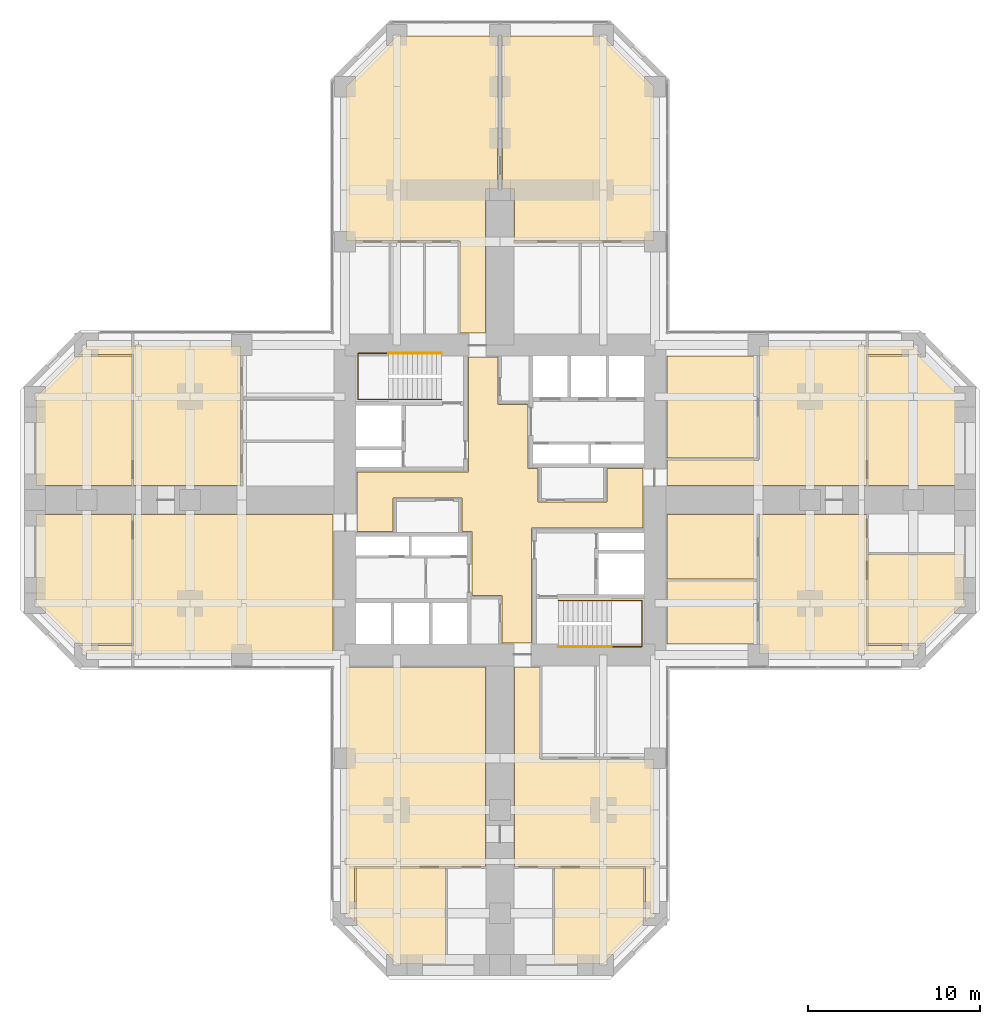
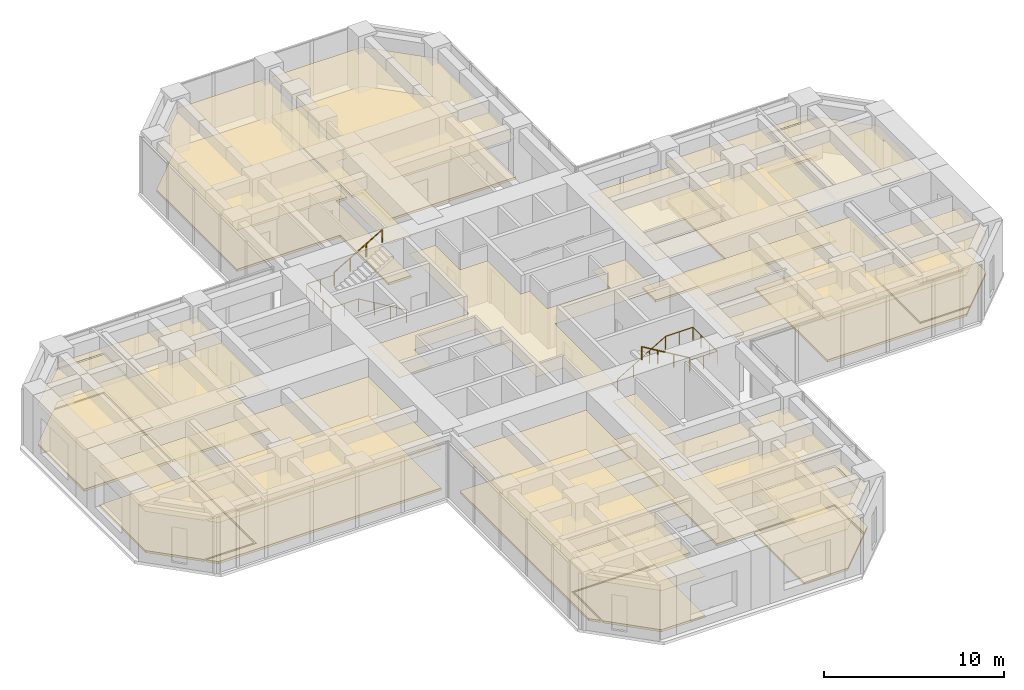
# One storey, part 13 of 13: 31 coverings, 4 railings.
"""IFC4 building model written with IfcOpenShell, lengths in metres."""

import ifcopenshell
import ifcopenshell.guid

model = None  # the IFC model being written
_history = None  # IfcOwnerHistory: only IFC2X3 demands one
_inside = {}  # id of a spatial element -> (the spatial element, [elements in it])
_under = {}  # id of a project, library or spatial element -> (it, [spatial elements below it])
_declared = {}  # id of a project -> (the project, [libraries it declares])
_typed = {}  # id of a type object -> (the type object, [elements of that type])
_made_of = {}  # id of a material, layer set ... -> (it, [elements and type objects made of it])


def new_model(schema):
    """Start an empty IFC model of exactly this schema.

    Asked for "IFC4X3", IfcOpenShell would pick the latest addendum, in which some entities
    have other attributes; the version numbers below select the first issue.
    IFC2X3 requires an IfcOwnerHistory on every rooted entity: one is made here for all.
    """
    global model, _history
    if schema == "IFC4X3":
        model = ifcopenshell.file(schema_version=(4, 3, 0, 0))
    else:
        model = ifcopenshell.file(schema=schema)
    _inside.clear()
    _under.clear()
    _declared.clear()
    _typed.clear()
    _made_of.clear()
    _history = None
    if model.schema == "IFC2X3":
        org = make("IfcOrganization", Name="unknown")
        user = make(
            "IfcPersonAndOrganization",
            ThePerson=make("IfcPerson", FamilyName="unknown"),
            TheOrganization=org,
        )
        app = make(
            "IfcApplication",
            ApplicationDeveloper=org,
            Version="unknown",
            ApplicationFullName="unknown",
            ApplicationIdentifier="unknown",
        )
        _history = make(
            "IfcOwnerHistory",
            OwningUser=user,
            OwningApplication=app,
            ChangeAction="ADDED",
            CreationDate=0,
        )
    return model


def make(cls, **values):
    """One entity of the class cls with the attributes given. An attribute that is None is left unset."""
    return model.create_entity(
        cls, **{name: value for name, value in values.items() if value is not None}
    )


def rooted(cls, **values):
    """An entity with a GlobalId (a new one), such as an element, a storey or a relation."""
    return make(cls, GlobalId=ifcopenshell.guid.new(), OwnerHistory=_history, **values)


def si_unit(unit_type, name, prefix=None):
    """IfcSIUnit, for example si_unit("LENGTHUNIT", "METRE", prefix="MILLI")."""
    return make("IfcSIUnit", UnitType=unit_type, Prefix=prefix, Name=name)


def assignment(units):
    """IfcUnitAssignment: the units of a project."""
    return None if units is None else make("IfcUnitAssignment", Units=units)


def point(xyz):
    """IfcCartesianPoint."""
    return None if xyz is None else make("IfcCartesianPoint", Coordinates=xyz)


def direction(xyz):
    """IfcDirection."""
    return None if xyz is None else make("IfcDirection", DirectionRatios=xyz)


def frame(location, z_axis=None, x_axis=None):
    """IfcAxis2Placement3D, a coordinate frame: its origin and axes. An axis left out is left unset."""
    return make(
        "IfcAxis2Placement3D",
        Location=point(location),
        Axis=direction(z_axis),
        RefDirection=direction(x_axis),
    )


def frame_2d(location, x_axis=None):
    """IfcAxis2Placement2D, a coordinate frame in the plane: its origin and x axis."""
    return make(
        "IfcAxis2Placement2D", Location=point(location), RefDirection=direction(x_axis)
    )


def origin():
    """The frame at (0, 0, 0) with its axes left unset."""
    return frame((0.0, 0.0, 0.0))


def origin_2d():
    """The frame at (0, 0) in the plane with its x axis left unset."""
    return frame_2d((0.0, 0.0))


def place(relative_to, where):
    """IfcLocalPlacement: puts the frame where relative to a parent placement (None: the world)."""
    return make(
        "IfcLocalPlacement", PlacementRelTo=relative_to, RelativePlacement=where
    )


def context(
    kind, dimensions, precision=None, world=None, true_north=None, identifier=None
):
    """IfcGeometricRepresentationContext, for example the 3D "Model" context."""
    return make(
        "IfcGeometricRepresentationContext",
        ContextIdentifier=identifier,
        ContextType=kind,
        CoordinateSpaceDimension=dimensions,
        Precision=precision,
        WorldCoordinateSystem=world,
        TrueNorth=true_north,
    )


def subcontext(parent, identifier, kind, view, scale=None):
    """IfcGeometricRepresentationSubContext, for example "Body" below "Model"."""
    return make(
        "IfcGeometricRepresentationSubContext",
        ContextIdentifier=identifier,
        ContextType=kind,
        ParentContext=parent,
        TargetScale=scale,
        TargetView=view,
    )


def project(units=None, contexts=None):
    """IfcProject with its units and contexts."""
    return rooted(
        "IfcProject",
        Name="project",
        RepresentationContexts=contexts,
        UnitsInContext=assignment(units),
    )


def spatial(cls, under=None, at=None, **own):
    """A site, building, storey or space (cls), placed at a placement, below another one or the project."""
    s = rooted(cls, ObjectPlacement=at, **own)
    if under is not None:
        _under.setdefault(under.id(), (under, []))[1].append(s)
    return s


def polyline(points):
    """IfcPolyline through the points."""
    return make("IfcPolyline", Points=[point(p) for p in points])


def profile(cls, at=None, kind="AREA", **sizes):
    """A parametric profile (cls). Its sizes go by their IFC names, for example OverallWidth=200.0."""
    return make(cls, ProfileType=kind, Position=at, **sizes)


def circle(**sizes):
    """IfcCircleProfileDef."""
    return profile("IfcCircleProfileDef", **sizes)


def outline(outer, holes=None, kind="AREA"):
    """IfcArbitraryClosedProfileDef: a profile drawn as a closed curve; with holes, ...WithVoids."""
    if holes is None:
        return make("IfcArbitraryClosedProfileDef", ProfileType=kind, OuterCurve=outer)
    return make(
        "IfcArbitraryProfileDefWithVoids",
        ProfileType=kind,
        OuterCurve=outer,
        InnerCurves=holes,
    )


def extrude(swept, where, along, depth):
    """IfcExtrudedAreaSolid: the profile swept, set in the frame where, extruded along a direction by depth."""
    return make(
        "IfcExtrudedAreaSolid",
        SweptArea=swept,
        Position=where,
        ExtrudedDirection=direction(along),
        Depth=depth,
    )


def shape(context_of_items, identifier, shape_type, items):
    """IfcShapeRepresentation: the items that make up one representation, for example the "Body"."""
    return make(
        "IfcShapeRepresentation",
        ContextOfItems=context_of_items,
        RepresentationIdentifier=identifier,
        RepresentationType=shape_type,
        Items=items,
    )


def material(Name=None, Category=None):
    """IfcMaterial."""
    return make("IfcMaterial", Name=Name, Category=Category)


def layer(
    of_material, thickness, ventilated=None, Name=None, Category=None, Priority=None
):
    """IfcMaterialLayer: one layer of a wall or slab, of a material (None: an air gap)."""
    return make(
        "IfcMaterialLayer",
        Material=of_material,
        LayerThickness=thickness,
        IsVentilated=ventilated,
        Name=Name,
        Category=Category,
        Priority=Priority,
    )


def layer_set(layers, Name=None):
    """IfcMaterialLayerSet."""
    return make("IfcMaterialLayerSet", MaterialLayers=layers, LayerSetName=Name)


def constituent(of_material, Name=None, Category=None, fraction=None):
    """IfcMaterialConstituent: one of the materials an element consists of."""
    return make(
        "IfcMaterialConstituent",
        Name=Name,
        Material=of_material,
        Fraction=fraction,
        Category=Category,
    )


def constituent_set(constituents=None, Name=None):
    """IfcMaterialConstituentSet."""
    return make(
        "IfcMaterialConstituentSet", Name=Name, MaterialConstituents=constituents
    )


def made_of(thing, what):
    """Note that an element or type object is made of a material, layer set ...; save() writes the relation."""
    if what is not None:
        _made_of.setdefault(what.id(), (what, []))[1].append(thing)
    return thing


def type_object(cls, material=None, **own):
    """A type object (cls), such as IfcWallType, which elements share."""
    return made_of(rooted(cls, **own), material)


def element(
    cls,
    number,
    at=None,
    inside=None,
    cuts=None,
    type_object=None,
    material=None,
    context=None,
    identifier="Body",
    shape_type=None,
    held_by="IfcProductDefinitionShape",
    body=None,
    shapes=None,
    **own,
):
    """One element of the class cls, such as IfcWall. Its Tag is "e" and its number.

    at: its placement. inside: the storey or other place that contains it. cuts: it is an
    opening in that element (IfcRelVoidsElement). A single representation is given by context,
    identifier, shape_type and body (its items); several are given by shapes. held_by: the class
    of the entity that holds the representations. save() writes the other relations.
    """
    e = rooted(cls, Tag="e%d" % number, ObjectPlacement=at, **own)
    if body is not None:
        shapes = [shape(context, identifier, shape_type, body)]
    if shapes is not None:
        e.Representation = make(held_by, Representations=shapes)
    if inside is not None:
        _inside.setdefault(inside.id(), (inside, []))[1].append(e)
    if cuts is not None:
        rooted(
            "IfcRelVoidsElement", RelatingBuildingElement=cuts, RelatedOpeningElement=e
        )
    if type_object is not None:
        _typed.setdefault(type_object.id(), (type_object, []))[1].append(e)
    return made_of(e, material)


def aggregate(whole, parts):
    """IfcRelAggregates: a whole, such as a stair, and the parts it consists of."""
    return rooted("IfcRelAggregates", RelatingObject=whole, RelatedObjects=parts)


def save(model, path):
    """Write the relations noted so far, then the file.

    IfcRelAggregates (storeys below a building ...), IfcRelContainedInSpatialStructure (elements
    in a storey), IfcRelDefinesByType, IfcRelAssociatesMaterial and IfcRelDeclares: one each for
    every whole, place, type object, material and project.
    """
    for whole, parts in _under.values():
        aggregate(whole, parts)
    for where, things in _inside.values():
        rooted(
            "IfcRelContainedInSpatialStructure",
            RelatedElements=things,
            RelatingStructure=where,
        )
    for kind, things in _typed.values():
        rooted("IfcRelDefinesByType", RelatedObjects=things, RelatingType=kind)
    for what, things in _made_of.values():
        rooted("IfcRelAssociatesMaterial", RelatedObjects=things, RelatingMaterial=what)
    for by, libraries in _declared.values():
        rooted("IfcRelDeclares", RelatingContext=by, RelatedDefinitions=libraries)
    model.write(path)


model = new_model("IFC4")

# Units and contexts
model_context = context("Model", 3, precision=1e-05, world=origin(), true_north=direction((0.0, 1.0)))
body_context = subcontext(model_context, "Body", "Model", "MODEL_VIEW")
ifc_project = project(units=[si_unit("LENGTHUNIT", "METRE"), si_unit("AREAUNIT", "SQUARE_METRE"), si_unit("VOLUMEUNIT", "CUBIC_METRE"), si_unit("PLANEANGLEUNIT", "RADIAN"), si_unit("MASSUNIT", "GRAM", prefix="KILO")], contexts=[model_context])

# Site, building, storey
site_placement = place(None, origin())
site = spatial("IfcSite", under=ifc_project, at=site_placement, CompositionType="ELEMENT")
building_placement = place(site_placement, origin())
building = spatial("IfcBuilding", under=site, at=building_placement, Name="Torre Cruceta", CompositionType="ELEMENT")
storey_placement = place(building_placement, frame((0.0, 0.0, 23.5)))
storey = spatial("IfcBuildingStorey", under=building, at=storey_placement, Name="L05", CompositionType="ELEMENT", Elevation=23.5)

# Railings
ifc_material_1 = material(Name="Stainless steel 1.4401", Category="steel")
railing_type = type_object("IfcRailingType", Name="HANDRAIL 900", PredefinedType="HANDRAIL", material=ifc_material_1)
railing_1_placement = place(storey_placement, frame((-3.39990234375, 5.8349609375, 0.166748046875)))
element("IfcRailing", 1, at=railing_1_placement, inside=storey, type_object=railing_type, Name="Handrail HR1 ST1 L05", PredefinedType="HANDRAIL", context=body_context, shape_type="SweptSolid", body=[
    extrude(circle(Radius=0.02392578125, at=origin_2d()), frame((0.0, 0.0, 0.8759765625), z_axis=(-0.859308565015, 0.0, 0.511457515432), x_axis=(0.0, -1.0, 0.0)), (0.0, 0.0, 1.0), 3.58447265625),
    extrude(circle(Radius=0.02392578125, at=origin_2d()), frame((-3.080078125, 0.0, 2.708984375), z_axis=(-1.0, 0.0, 0.0), x_axis=(0.0, -1.0, 0.0)), (0.0, 0.0, 1.0), 1.760009765625),
    extrude(circle(Radius=0.02392578125, at=origin_2d()), frame((-4.840087890625, 0.0, 2.708984375), z_axis=(0.0, 1.0, 0.0), x_axis=(-1.0, 0.0, 0.0)), (0.0, 0.0, 1.0), 2.679931640625),
    extrude(circle(Radius=0.02392578125, at=origin_2d()), frame((-4.840087890625, 2.679931640625, 2.708984375), z_axis=(1.0, 0.0, 0.0), x_axis=(0.0, 1.0, 0.0)), (0.0, 0.0, 1.0), 1.760009765625),
    extrude(circle(Radius=0.02099609375, at=origin_2d()), origin(), (0.0, 0.0, 1.0), 0.851806640625),
    extrude(circle(Radius=0.02099609375, at=origin_2d()), frame((-1.026611328125, 0.0, 0.611083984375)), (0.0, 0.0, 1.0), 0.851806640625),
    extrude(circle(Radius=0.02099609375, at=origin_2d()), frame((-2.053466796875, 0.0, 1.22216796875)), (0.0, 0.0, 1.0), 0.851806640625),
    extrude(circle(Radius=0.02099609375, at=origin_2d()), frame((-3.080078125, 0.0, 1.833251953125)), (0.0, 0.0, 1.0), 0.851806640625),
    extrude(circle(Radius=0.02099609375, at=origin_2d()), frame((-3.9599609375, 0.0, 1.833251953125)), (0.0, 0.0, 1.0), 0.851806640625),
    extrude(circle(Radius=0.02099609375, at=origin_2d()), frame((-4.840087890625, 0.0, 1.833251953125)), (0.0, 0.0, 1.0), 0.851806640625),
    extrude(circle(Radius=0.02099609375, at=origin_2d()), frame((-4.840087890625, 0.893310546875, 1.833251953125)), (0.0, 0.0, 1.0), 0.851806640625),
    extrude(circle(Radius=0.02099609375, at=origin_2d()), frame((-4.840087890625, 1.78662109375, 1.833251953125)), (0.0, 0.0, 1.0), 0.851806640625),
    extrude(circle(Radius=0.02099609375, at=origin_2d()), frame((-4.840087890625, 2.679931640625, 1.833251953125)), (0.0, 0.0, 1.0), 0.851806640625),
    extrude(circle(Radius=0.02099609375, at=origin_2d()), frame((-3.9599609375, 2.679931640625, 1.833251953125)), (0.0, 0.0, 1.0), 0.851806640625),
    extrude(circle(Radius=0.02099609375, at=origin_2d()), frame((-3.080078125, 2.679931640625, 1.833251953125)), (0.0, 0.0, 1.0), 0.851806640625),
])
railing_2_placement = place(storey_placement, frame((-6.47998046875, 8.514892578125, 2.166748046875)))
element("IfcRailing", 2, at=railing_2_placement, inside=storey, type_object=railing_type, Name="Handrail HR1 ST1 L05", PredefinedType="HANDRAIL", context=body_context, shape_type="SweptSolid", body=[
    extrude(circle(Radius=0.02392578125, at=origin_2d()), frame((0.0, 0.0, 0.8759765625), z_axis=(0.859308565015, 0.0, 0.511457515432), x_axis=(0.0, 1.0, 0.0)), (0.0, 0.0, 1.0), 3.58447265625),
    extrude(circle(Radius=0.02099609375, at=origin_2d()), origin(), (0.0, 0.0, 1.0), 0.851806640625),
    extrude(circle(Radius=0.02099609375, at=origin_2d()), frame((1.026611328125, 0.0, 0.611083984375)), (0.0, 0.0, 1.0), 0.851806640625),
    extrude(circle(Radius=0.02099609375, at=origin_2d()), frame((2.053466796875, 0.0, 1.22216796875)), (0.0, 0.0, 1.0), 0.851806640625),
    extrude(circle(Radius=0.02099609375, at=origin_2d()), frame((3.080078125, 0.0, 1.833251953125)), (0.0, 0.0, 1.0), 0.851806640625),
])
railing_3_placement = place(storey_placement, frame((3.39990234375, -5.8349609375, 0.166748046875)))
element("IfcRailing", 3, at=railing_3_placement, inside=storey, type_object=railing_type, Name="Handrail HR1 ST2 L05", PredefinedType="HANDRAIL", context=body_context, shape_type="SweptSolid", body=[
    extrude(circle(Radius=0.02392578125, at=origin_2d()), frame((0.0, 0.0, 0.8759765625), z_axis=(0.859308565015, 0.0, 0.511457515432), x_axis=(0.0, 1.0, 0.0)), (0.0, 0.0, 1.0), 3.58447265625),
    extrude(circle(Radius=0.02392578125, at=origin_2d()), frame((3.080078125, 0.0, 2.708984375), z_axis=(1.0, 0.0, 0.0), x_axis=(0.0, 1.0, 0.0)), (0.0, 0.0, 1.0), 1.760009765625),
    extrude(circle(Radius=0.02392578125, at=origin_2d()), frame((4.840087890625, 0.0, 2.708984375), z_axis=(0.0, -1.0, 0.0), x_axis=(1.0, 0.0, 0.0)), (0.0, 0.0, 1.0), 2.679931640625),
    extrude(circle(Radius=0.02392578125, at=origin_2d()), frame((4.840087890625, -2.679931640625, 2.708984375), z_axis=(-1.0, 0.0, 0.0), x_axis=(0.0, -1.0, 0.0)), (0.0, 0.0, 1.0), 1.760009765625),
    extrude(circle(Radius=0.02099609375, at=origin_2d()), origin(), (0.0, 0.0, 1.0), 0.851806640625),
    extrude(circle(Radius=0.02099609375, at=origin_2d()), frame((1.026611328125, 0.0, 0.611083984375)), (0.0, 0.0, 1.0), 0.851806640625),
    extrude(circle(Radius=0.02099609375, at=origin_2d()), frame((2.053466796875, 0.0, 1.22216796875)), (0.0, 0.0, 1.0), 0.851806640625),
    extrude(circle(Radius=0.02099609375, at=origin_2d()), frame((3.080078125, 0.0, 1.833251953125)), (0.0, 0.0, 1.0), 0.851806640625),
    extrude(circle(Radius=0.02099609375, at=origin_2d()), frame((3.9599609375, 0.0, 1.833251953125)), (0.0, 0.0, 1.0), 0.851806640625),
    extrude(circle(Radius=0.02099609375, at=origin_2d()), frame((4.840087890625, 0.0, 1.833251953125)), (0.0, 0.0, 1.0), 0.851806640625),
    extrude(circle(Radius=0.02099609375, at=origin_2d()), frame((4.840087890625, -0.893310546875, 1.833251953125)), (0.0, 0.0, 1.0), 0.851806640625),
    extrude(circle(Radius=0.02099609375, at=origin_2d()), frame((4.840087890625, -1.78662109375, 1.833251953125)), (0.0, 0.0, 1.0), 0.851806640625),
    extrude(circle(Radius=0.02099609375, at=origin_2d()), frame((4.840087890625, -2.679931640625, 1.833251953125)), (0.0, 0.0, 1.0), 0.851806640625),
    extrude(circle(Radius=0.02099609375, at=origin_2d()), frame((3.9599609375, -2.679931640625, 1.833251953125)), (0.0, 0.0, 1.0), 0.851806640625),
    extrude(circle(Radius=0.02099609375, at=origin_2d()), frame((3.080078125, -2.679931640625, 1.833251953125)), (0.0, 0.0, 1.0), 0.851806640625),
])
railing_4_placement = place(storey_placement, frame((6.47998046875, -8.514892578125, 2.166748046875)))
element("IfcRailing", 4, at=railing_4_placement, inside=storey, type_object=railing_type, Name="Handrail HR1 ST2 L05", PredefinedType="HANDRAIL", context=body_context, shape_type="SweptSolid", body=[
    extrude(circle(Radius=0.02392578125, at=origin_2d()), frame((0.0, 0.0, 0.8759765625), z_axis=(-0.859308565015, 0.0, 0.511457515432), x_axis=(0.0, -1.0, 0.0)), (0.0, 0.0, 1.0), 3.58447265625),
    extrude(circle(Radius=0.02099609375, at=origin_2d()), origin(), (0.0, 0.0, 1.0), 0.851806640625),
    extrude(circle(Radius=0.02099609375, at=origin_2d()), frame((-1.026611328125, 0.0, 0.611083984375)), (0.0, 0.0, 1.0), 0.851806640625),
    extrude(circle(Radius=0.02099609375, at=origin_2d()), frame((-2.053466796875, 0.0, 1.22216796875)), (0.0, 0.0, 1.0), 0.851806640625),
    extrude(circle(Radius=0.02099609375, at=origin_2d()), frame((-3.080078125, 0.0, 1.833251953125)), (0.0, 0.0, 1.0), 0.851806640625),
])

# Coverings
ifc_material_2 = material(Name="Steel DX51D", Category="steel")
ifc_constituent_1 = constituent(ifc_material_2, Name="Panel casing")
ifc_material_3 = material(Name="Calcium sulphate", Category="gypsum")
ifc_constituent_2 = constituent(ifc_material_3, Name="Panel core")
ifc_constituent_set = constituent_set(constituents=[ifc_constituent_1, ifc_constituent_2], Name="Raised access floor panel")
covering_type_1 = type_object("IfcCoveringType", Name="RAISED ACCESS FLOOR 150", PredefinedType="FLOORING", material=ifc_constituent_set)
covering_1_placement = place(storey_placement, origin())
element("IfcCovering", 5, at=covering_1_placement, inside=storey, type_object=covering_type_1, Name="Raised floor L05-032", PredefinedType="FLOORING", context=body_context, shape_type="SweptSolid", body=[
    extrude(outline(polyline([(-0.14990234375, 26.949951171875), (-0.14990234375, 18.050048828125), (-0.85009765625, 18.050048828125), (-0.85009765625, 9.699951171875), (-2.324951171875, 9.699951171875), (-2.324951171875, 15.050048828125), (-8.949951171875, 15.050048828125), (-8.949951171875, 23.979248046875), (-5.979248046875, 26.949951171875), (-0.14990234375, 26.949951171875)])), origin(), (0.0, 0.0, 1.0), 0.14990234375),
])
covering_2_placement = place(storey_placement, origin())
element("IfcCovering", 6, at=covering_2_placement, inside=storey, type_object=covering_type_1, Name="Raised floor L05-033", PredefinedType="FLOORING", context=body_context, shape_type="SweptSolid", body=[
    extrude(outline(polyline([(5.979248046875, 26.949951171875), (8.949951171875, 23.979248046875), (8.949951171875, 15.050048828125), (0.85009765625, 15.050048828125), (0.85009765625, 18.050048828125), (0.14990234375, 18.050048828125), (0.14990234375, 26.949951171875), (5.979248046875, 26.949951171875)])), origin(), (0.0, 0.0, 1.0), 0.14990234375),
])
covering_3_placement = place(storey_placement, origin())
element("IfcCovering", 7, at=covering_3_placement, inside=storey, type_object=covering_type_1, Name="Raised floor L05-039", PredefinedType="FLOORING", context=body_context, shape_type="SweptSolid", body=[
    extrude(outline(polyline([(24.579345703125, -8.35009765625), (21.3701171875, -8.35009765625), (21.3701171875, -3.16796875), (26.949951171875, -3.16796875), (26.949951171875, -5.979248046875), (24.579345703125, -8.35009765625)])), origin(), (0.0, 0.0, 1.0), 0.14990234375),
])
covering_4_placement = place(storey_placement, origin())
element("IfcCovering", 8, at=covering_4_placement, inside=storey, type_object=covering_type_1, Name="Raised floor L05-040", PredefinedType="FLOORING", context=body_context, shape_type="SweptSolid", body=[
    extrude(outline(polyline([(9.699951171875, 2.324951171875), (15.050048828125, 2.324951171875), (15.050048828125, 8.949951171875), (23.979248046875, 8.949951171875), (24.479248046875, 8.449951171875), (21.27001953125, 8.449951171875), (21.27001953125, 0.85009765625), (9.699951171875, 0.85009765625), (9.699951171875, 2.324951171875)])), origin(), (0.0, 0.0, 1.0), 0.14990234375),
])
covering_5_placement = place(storey_placement, origin())
element("IfcCovering", 9, at=covering_5_placement, inside=storey, type_object=covering_type_1, Name="Raised floor L05-041", PredefinedType="FLOORING", context=body_context, shape_type="SweptSolid", body=[
    extrude(outline(polyline([(15.050048828125, -8.949951171875), (15.050048828125, -0.85009765625), (21.27001953125, -0.85009765625), (21.27001953125, -8.449951171875), (24.479248046875, -8.449951171875), (23.979248046875, -8.949951171875), (15.050048828125, -8.949951171875)])), origin(), (0.0, 0.0, 1.0), 0.14990234375),
])
covering_6_placement = place(storey_placement, origin())
element("IfcCovering", 10, at=covering_6_placement, inside=storey, type_object=covering_type_1, Name="Raised floor L05-045", PredefinedType="FLOORING", context=body_context, shape_type="SweptSolid", body=[
    extrude(outline(polyline([(3.16796875, -26.949951171875), (3.16796875, -21.3701171875), (8.35009765625, -21.3701171875), (8.35009765625, -24.579345703125), (5.979248046875, -26.949951171875), (3.16796875, -26.949951171875)])), origin(), (0.0, 0.0, 1.0), 0.14990234375),
])
covering_7_placement = place(storey_placement, origin())
element("IfcCovering", 11, at=covering_7_placement, inside=storey, type_object=covering_type_1, Name="Raised floor L05-047", PredefinedType="FLOORING", context=body_context, shape_type="SweptSolid", body=[
    extrude(outline(polyline([(-8.35009765625, -24.579345703125), (-8.35009765625, -21.3701171875), (-3.16796875, -21.3701171875), (-3.16796875, -26.949951171875), (-5.979248046875, -26.949951171875), (-8.35009765625, -24.579345703125)])), origin(), (0.0, 0.0, 1.0), 0.14990234375),
])
covering_8_placement = place(storey_placement, origin())
element("IfcCovering", 12, at=covering_8_placement, inside=storey, type_object=covering_type_1, Name="Raised floor L05-048", PredefinedType="FLOORING", context=body_context, shape_type="SweptSolid", body=[
    extrude(outline(polyline([(0.85009765625, -21.27001953125), (0.85009765625, -9.699951171875), (2.324951171875, -9.699951171875), (2.324951171875, -15.050048828125), (8.949951171875, -15.050048828125), (8.949951171875, -23.979248046875), (8.449951171875, -24.479248046875), (8.449951171875, -21.27001953125), (0.85009765625, -21.27001953125)])), origin(), (0.0, 0.0, 1.0), 0.14990234375),
])
covering_9_placement = place(storey_placement, origin())
element("IfcCovering", 13, at=covering_9_placement, inside=storey, type_object=covering_type_1, Name="Raised floor L05-049", PredefinedType="FLOORING", context=body_context, shape_type="SweptSolid", body=[
    extrude(outline(polyline([(-8.449951171875, -21.27001953125), (-8.449951171875, -24.479248046875), (-8.949951171875, -23.979248046875), (-8.949951171875, -9.699951171875), (-0.85009765625, -9.699951171875), (-0.85009765625, -21.27001953125), (-8.449951171875, -21.27001953125)])), origin(), (0.0, 0.0, 1.0), 0.14990234375),
])
covering_10_placement = place(storey_placement, origin())
element("IfcCovering", 14, at=covering_10_placement, inside=storey, type_object=covering_type_1, Name="Raised floor L05-053", PredefinedType="FLOORING", context=body_context, shape_type="SweptSolid", body=[
    extrude(outline(polyline([(-26.949951171875, -0.85009765625), (-21.3701171875, -0.85009765625), (-21.3701171875, -8.35009765625), (-24.579345703125, -8.35009765625), (-26.949951171875, -5.979248046875), (-26.949951171875, -0.85009765625)])), origin(), (0.0, 0.0, 1.0), 0.14990234375),
])
covering_11_placement = place(storey_placement, origin())
element("IfcCovering", 15, at=covering_11_placement, inside=storey, type_object=covering_type_1, Name="Raised floor L05-054", PredefinedType="FLOORING", context=body_context, shape_type="SweptSolid", body=[
    extrude(outline(polyline([(-24.579345703125, 8.35009765625), (-21.3701171875, 8.35009765625), (-21.3701171875, 0.85009765625), (-26.949951171875, 0.85009765625), (-26.949951171875, 5.979248046875), (-24.579345703125, 8.35009765625)])), origin(), (0.0, 0.0, 1.0), 0.14990234375),
])
covering_12_placement = place(storey_placement, origin())
element("IfcCovering", 16, at=covering_12_placement, inside=storey, type_object=covering_type_1, Name="Raised floor L05-055", PredefinedType="FLOORING", context=body_context, shape_type="SweptSolid", body=[
    extrude(outline(polyline([(-21.27001953125, -8.449951171875), (-21.27001953125, -0.85009765625), (-9.699951171875, -0.85009765625), (-9.699951171875, -8.949951171875), (-23.979248046875, -8.949951171875), (-24.479248046875, -8.449951171875), (-21.27001953125, -8.449951171875)])), origin(), (0.0, 0.0, 1.0), 0.14990234375),
])
covering_13_placement = place(storey_placement, origin())
element("IfcCovering", 17, at=covering_13_placement, inside=storey, type_object=covering_type_1, Name="Raised floor L05-056", PredefinedType="FLOORING", context=body_context, shape_type="SweptSolid", body=[
    extrude(outline(polyline([(-21.27001953125, 8.449951171875), (-24.479248046875, 8.449951171875), (-23.979248046875, 8.949951171875), (-15.050048828125, 8.949951171875), (-15.050048828125, 0.85009765625), (-21.27001953125, 0.85009765625), (-21.27001953125, 8.449951171875)])), origin(), (0.0, 0.0, 1.0), 0.14990234375),
])
ifc_material_4 = material(Name="Mineral fibre ceiling tile", Category="gypsum")
ifc_layer = layer(ifc_material_4, 0.02001953125)
ifc_layer_set = layer_set([ifc_layer], Name="Mineral fibre ceiling tile")
covering_type_2 = type_object("IfcCoveringType", Name="SUSPENDED CEILING 20", PredefinedType="CEILING", material=ifc_layer_set)
covering_14_placement = place(storey_placement, frame((0.0, 0.0, 2.780029296875)))
element("IfcCovering", 18, at=covering_14_placement, inside=storey, type_object=covering_type_2, Name="Ceiling L05-001", PredefinedType="CEILING", context=body_context, shape_type="SweptSolid", body=[
    extrude(outline(polyline([(1.824951171875, -8.300048828125), (0.125, -8.300048828125), (0.125, -5.550048828125), (-1.625, -5.550048828125), (-1.625, -1.824951171875), (-2.199951171875, -1.824951171875), (-2.199951171875, 0.125), (-6.199951171875, 0.125), (-6.199951171875, -1.824951171875), (-8.300048828125, -1.824951171875), (-8.300048828125, 1.625), (-1.824951171875, 1.625), (-1.824951171875, 8.300048828125), (-0.125, 8.300048828125), (-0.125, 5.550048828125), (1.625, 5.550048828125), (1.625, 1.824951171875), (2.199951171875, 1.824951171875), (2.199951171875, -0.125), (6.199951171875, -0.125), (6.199951171875, 1.824951171875), (8.300048828125, 1.824951171875), (8.300048828125, -1.625), (1.824951171875, -1.625), (1.824951171875, -8.300048828125)])), origin(), (0.0, 0.0, 1.0), 0.02001953125),
])
covering_15_placement = place(storey_placement, frame((0.0, 0.0, 2.780029296875)))
element("IfcCovering", 19, at=covering_15_placement, inside=storey, type_object=covering_type_2, Name="Ceiling L05-032", PredefinedType="CEILING", context=body_context, shape_type="SweptSolid", body=[
    extrude(outline(polyline([(-0.14990234375, 26.949951171875), (-0.14990234375, 18.050048828125), (-0.85009765625, 18.050048828125), (-0.85009765625, 9.699951171875), (-2.324951171875, 9.699951171875), (-2.324951171875, 15.050048828125), (-8.949951171875, 15.050048828125), (-8.949951171875, 23.979248046875), (-5.979248046875, 26.949951171875), (-0.14990234375, 26.949951171875)])), origin(), (0.0, 0.0, 1.0), 0.02001953125),
])
covering_16_placement = place(storey_placement, frame((0.0, 0.0, 2.780029296875)))
element("IfcCovering", 20, at=covering_16_placement, inside=storey, type_object=covering_type_2, Name="Ceiling L05-033", PredefinedType="CEILING", context=body_context, shape_type="SweptSolid", body=[
    extrude(outline(polyline([(5.979248046875, 26.949951171875), (8.949951171875, 23.979248046875), (8.949951171875, 15.050048828125), (0.85009765625, 15.050048828125), (0.85009765625, 18.050048828125), (0.14990234375, 18.050048828125), (0.14990234375, 26.949951171875), (5.979248046875, 26.949951171875)])), origin(), (0.0, 0.0, 1.0), 0.02001953125),
])
covering_17_placement = place(storey_placement, frame((0.0, 0.0, 2.780029296875)))
element("IfcCovering", 21, at=covering_17_placement, inside=storey, type_object=covering_type_2, Name="Ceiling L05-034", PredefinedType="CEILING", context=body_context, shape_type="SweptSolid", body=[
    extrude(outline(polyline([(9.699951171875, 2.425048828125), (9.699951171875, 8.35009765625), (14.949951171875, 8.35009765625), (14.949951171875, 2.425048828125), (9.699951171875, 2.425048828125)])), origin(), (0.0, 0.0, 1.0), 0.02001953125),
])
covering_18_placement = place(storey_placement, frame((0.0, 0.0, 2.780029296875)))
element("IfcCovering", 22, at=covering_18_placement, inside=storey, type_object=covering_type_2, Name="Ceiling L05-035", PredefinedType="CEILING", context=body_context, shape_type="SweptSolid", body=[
    extrude(outline(polyline([(9.699951171875, -4.60009765625), (9.699951171875, -0.85009765625), (14.949951171875, -0.85009765625), (14.949951171875, -4.60009765625), (9.699951171875, -4.60009765625)])), origin(), (0.0, 0.0, 1.0), 0.02001953125),
])
covering_19_placement = place(storey_placement, frame((0.0, 0.0, 2.780029296875)))
element("IfcCovering", 23, at=covering_19_placement, inside=storey, type_object=covering_type_2, Name="Ceiling L05-036", PredefinedType="CEILING", context=body_context, shape_type="SweptSolid", body=[
    extrude(outline(polyline([(9.699951171875, -8.35009765625), (9.699951171875, -4.699951171875), (14.949951171875, -4.699951171875), (14.949951171875, -8.35009765625), (9.699951171875, -8.35009765625)])), origin(), (0.0, 0.0, 1.0), 0.02001953125),
])
covering_20_placement = place(storey_placement, frame((0.0, 0.0, 2.780029296875)))
element("IfcCovering", 24, at=covering_20_placement, inside=storey, type_object=covering_type_2, Name="Ceiling L05-037", PredefinedType="CEILING", context=body_context, shape_type="SweptSolid", body=[
    extrude(outline(polyline([(26.949951171875, 0.85009765625), (21.3701171875, 0.85009765625), (21.3701171875, 8.35009765625), (24.579345703125, 8.35009765625), (26.949951171875, 5.979248046875), (26.949951171875, 0.85009765625)])), origin(), (0.0, 0.0, 1.0), 0.02001953125),
])
covering_21_placement = place(storey_placement, frame((0.0, 0.0, 2.780029296875)))
element("IfcCovering", 25, at=covering_21_placement, inside=storey, type_object=covering_type_2, Name="Ceiling L05-039", PredefinedType="CEILING", context=body_context, shape_type="SweptSolid", body=[
    extrude(outline(polyline([(24.579345703125, -8.35009765625), (21.3701171875, -8.35009765625), (21.3701171875, -3.16796875), (26.949951171875, -3.16796875), (26.949951171875, -5.979248046875), (24.579345703125, -8.35009765625)])), origin(), (0.0, 0.0, 1.0), 0.02001953125),
])
covering_22_placement = place(storey_placement, frame((0.0, 0.0, 2.780029296875)))
element("IfcCovering", 26, at=covering_22_placement, inside=storey, type_object=covering_type_2, Name="Ceiling L05-040", PredefinedType="CEILING", context=body_context, shape_type="SweptSolid", body=[
    extrude(outline(polyline([(9.699951171875, 2.324951171875), (15.050048828125, 2.324951171875), (15.050048828125, 8.949951171875), (23.979248046875, 8.949951171875), (24.479248046875, 8.449951171875), (21.27001953125, 8.449951171875), (21.27001953125, 0.85009765625), (9.699951171875, 0.85009765625), (9.699951171875, 2.324951171875)])), origin(), (0.0, 0.0, 1.0), 0.02001953125),
])
covering_23_placement = place(storey_placement, frame((0.0, 0.0, 2.780029296875)))
element("IfcCovering", 27, at=covering_23_placement, inside=storey, type_object=covering_type_2, Name="Ceiling L05-041", PredefinedType="CEILING", context=body_context, shape_type="SweptSolid", body=[
    extrude(outline(polyline([(15.050048828125, -8.949951171875), (15.050048828125, -0.85009765625), (21.27001953125, -0.85009765625), (21.27001953125, -8.449951171875), (24.479248046875, -8.449951171875), (23.979248046875, -8.949951171875), (15.050048828125, -8.949951171875)])), origin(), (0.0, 0.0, 1.0), 0.02001953125),
])
covering_24_placement = place(storey_placement, frame((0.0, 0.0, 2.780029296875)))
element("IfcCovering", 28, at=covering_24_placement, inside=storey, type_object=covering_type_2, Name="Ceiling L05-045", PredefinedType="CEILING", context=body_context, shape_type="SweptSolid", body=[
    extrude(outline(polyline([(3.16796875, -26.949951171875), (3.16796875, -21.3701171875), (8.35009765625, -21.3701171875), (8.35009765625, -24.579345703125), (5.979248046875, -26.949951171875), (3.16796875, -26.949951171875)])), origin(), (0.0, 0.0, 1.0), 0.02001953125),
])
covering_25_placement = place(storey_placement, frame((0.0, 0.0, 2.780029296875)))
element("IfcCovering", 29, at=covering_25_placement, inside=storey, type_object=covering_type_2, Name="Ceiling L05-047", PredefinedType="CEILING", context=body_context, shape_type="SweptSolid", body=[
    extrude(outline(polyline([(-8.35009765625, -24.579345703125), (-8.35009765625, -21.3701171875), (-3.16796875, -21.3701171875), (-3.16796875, -26.949951171875), (-5.979248046875, -26.949951171875), (-8.35009765625, -24.579345703125)])), origin(), (0.0, 0.0, 1.0), 0.02001953125),
])
covering_26_placement = place(storey_placement, frame((0.0, 0.0, 2.780029296875)))
element("IfcCovering", 30, at=covering_26_placement, inside=storey, type_object=covering_type_2, Name="Ceiling L05-048", PredefinedType="CEILING", context=body_context, shape_type="SweptSolid", body=[
    extrude(outline(polyline([(0.85009765625, -21.27001953125), (0.85009765625, -9.699951171875), (2.324951171875, -9.699951171875), (2.324951171875, -15.050048828125), (8.949951171875, -15.050048828125), (8.949951171875, -23.979248046875), (8.449951171875, -24.479248046875), (8.449951171875, -21.27001953125), (0.85009765625, -21.27001953125)])), origin(), (0.0, 0.0, 1.0), 0.02001953125),
])
covering_27_placement = place(storey_placement, frame((0.0, 0.0, 2.780029296875)))
element("IfcCovering", 31, at=covering_27_placement, inside=storey, type_object=covering_type_2, Name="Ceiling L05-049", PredefinedType="CEILING", context=body_context, shape_type="SweptSolid", body=[
    extrude(outline(polyline([(-8.449951171875, -21.27001953125), (-8.449951171875, -24.479248046875), (-8.949951171875, -23.979248046875), (-8.949951171875, -9.699951171875), (-0.85009765625, -9.699951171875), (-0.85009765625, -21.27001953125), (-8.449951171875, -21.27001953125)])), origin(), (0.0, 0.0, 1.0), 0.02001953125),
])
covering_28_placement = place(storey_placement, frame((0.0, 0.0, 2.780029296875)))
element("IfcCovering", 32, at=covering_28_placement, inside=storey, type_object=covering_type_2, Name="Ceiling L05-053", PredefinedType="CEILING", context=body_context, shape_type="SweptSolid", body=[
    extrude(outline(polyline([(-26.949951171875, -0.85009765625), (-21.3701171875, -0.85009765625), (-21.3701171875, -8.35009765625), (-24.579345703125, -8.35009765625), (-26.949951171875, -5.979248046875), (-26.949951171875, -0.85009765625)])), origin(), (0.0, 0.0, 1.0), 0.02001953125),
])
covering_29_placement = place(storey_placement, frame((0.0, 0.0, 2.780029296875)))
element("IfcCovering", 33, at=covering_29_placement, inside=storey, type_object=covering_type_2, Name="Ceiling L05-054", PredefinedType="CEILING", context=body_context, shape_type="SweptSolid", body=[
    extrude(outline(polyline([(-24.579345703125, 8.35009765625), (-21.3701171875, 8.35009765625), (-21.3701171875, 0.85009765625), (-26.949951171875, 0.85009765625), (-26.949951171875, 5.979248046875), (-24.579345703125, 8.35009765625)])), origin(), (0.0, 0.0, 1.0), 0.02001953125),
])
covering_30_placement = place(storey_placement, frame((0.0, 0.0, 2.780029296875)))
element("IfcCovering", 34, at=covering_30_placement, inside=storey, type_object=covering_type_2, Name="Ceiling L05-055", PredefinedType="CEILING", context=body_context, shape_type="SweptSolid", body=[
    extrude(outline(polyline([(-21.27001953125, -8.449951171875), (-21.27001953125, -0.85009765625), (-9.699951171875, -0.85009765625), (-9.699951171875, -8.949951171875), (-23.979248046875, -8.949951171875), (-24.479248046875, -8.449951171875), (-21.27001953125, -8.449951171875)])), origin(), (0.0, 0.0, 1.0), 0.02001953125),
])
covering_31_placement = place(storey_placement, frame((0.0, 0.0, 2.780029296875)))
element("IfcCovering", 35, at=covering_31_placement, inside=storey, type_object=covering_type_2, Name="Ceiling L05-056", PredefinedType="CEILING", context=body_context, shape_type="SweptSolid", body=[
    extrude(outline(polyline([(-21.27001953125, 8.449951171875), (-24.479248046875, 8.449951171875), (-23.979248046875, 8.949951171875), (-15.050048828125, 8.949951171875), (-15.050048828125, 0.85009765625), (-21.27001953125, 0.85009765625), (-21.27001953125, 8.449951171875)])), origin(), (0.0, 0.0, 1.0), 0.02001953125),
])

save(model, "model.ifc")
